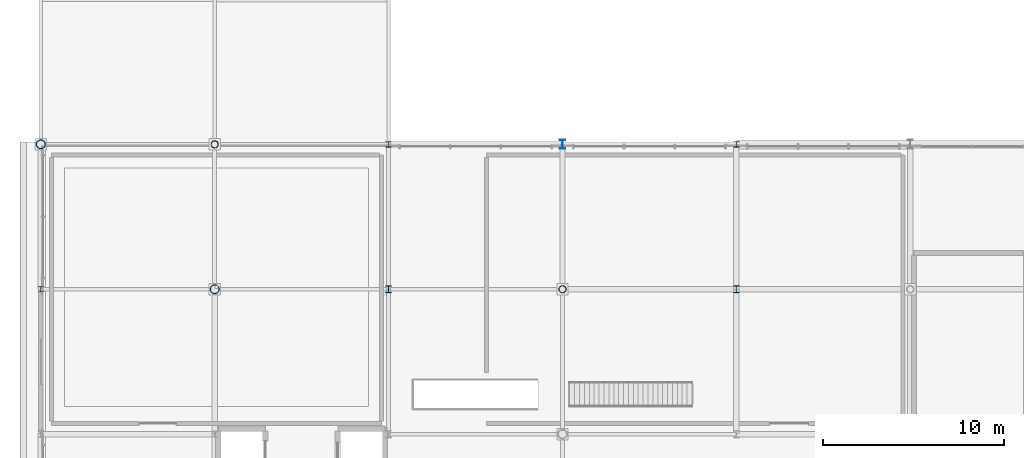
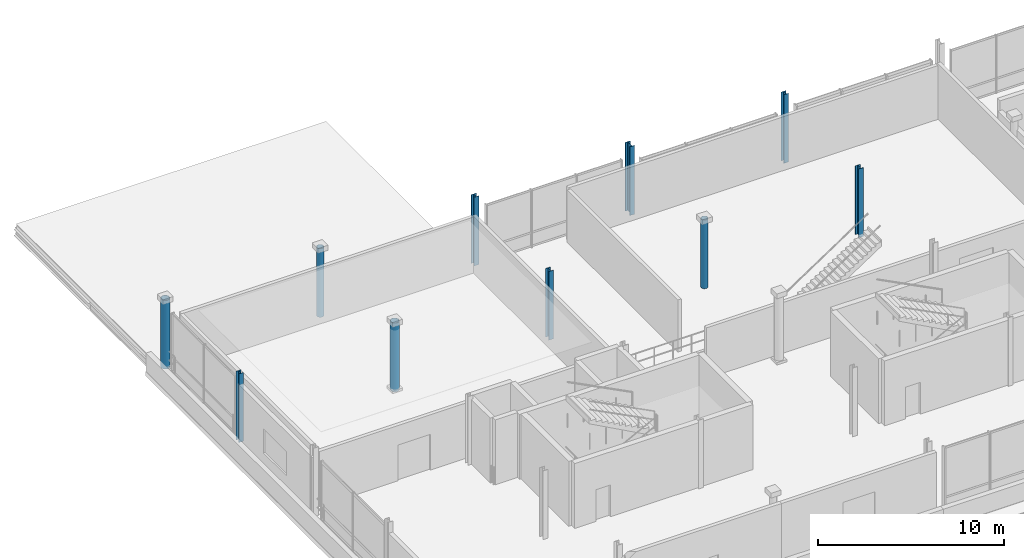
# One storey, part 3 of 36: 10 columns.
"""IFC4 building model written with IfcOpenShell, lengths in metres."""

from ifc_helpers import new_model, si_unit, direction, frame, origin, origin_2d, place, context, subcontext, project, spatial, hollow_circle, i_section, extrude, material, material_profile, profile_set, type_object, element, save


model = new_model("IFC4")

# Units and contexts
model_context = context("Model", 3, precision=1e-05, world=origin(), true_north=direction((0.0, 1.0)))
body_context = subcontext(model_context, "Body", "Model", "MODEL_VIEW")
ifc_project = project(units=[si_unit("LENGTHUNIT", "METRE"), si_unit("AREAUNIT", "SQUARE_METRE"), si_unit("VOLUMEUNIT", "CUBIC_METRE"), si_unit("PLANEANGLEUNIT", "RADIAN"), si_unit("MASSUNIT", "GRAM", prefix="KILO")], contexts=[model_context])

# Site, building, storey
site_placement = place(None, origin())
site = spatial("IfcSite", under=ifc_project, at=site_placement, CompositionType="ELEMENT")
building_placement = place(site_placement, origin())
building = spatial("IfcBuilding", under=site, at=building_placement, Name="Danafjord Basin Convention Centre", CompositionType="ELEMENT")
storey_placement = place(building_placement, frame((0.0, 0.0, 20.39990234375)))
storey = spatial("IfcBuildingStorey", under=building, at=storey_placement, Name="L04", CompositionType="ELEMENT", Elevation=20.39990234375)

# Columns
ifc_material = material(Name="Steel S355", Category="steel")
ifc_material_profile_1 = material_profile(ifc_material, hollow_circle(Radius=0.203125, WallThickness=0.02001953125, at=origin_2d()), Name="CHS 406.4x20.0")
ifc_profile_set_1 = profile_set([ifc_material_profile_1], Name="Steel S355")
column_type_1 = type_object("IfcColumnType", Name="COL-C-CHS406", PredefinedType="COLUMN", material=ifc_profile_set_1)
for number, where, z_axis, x_axis, name in (
    (1, (9.60009765625, 40.0, 0.0), (0.0, 0.0, 1.0), (1.0, 0.0, 0.0), "L04 column C-CHS406 at (9.6, 40.0)"),
    (2, (28.800048828125, 32.0, 0.0), (0.0, 0.0, 1.0), (1.0, 0.0, 0.0), "L04 column C-CHS406 at (28.8, 32.0)"),
):
    element("IfcColumn", number, at=place(storey_placement, frame(where, z_axis=z_axis, x_axis=x_axis)), inside=storey, type_object=column_type_1, Name=name, PredefinedType="COLUMN", context=body_context, shape_type="SweptSolid", body=[
        extrude(hollow_circle(Radius=0.203125, WallThickness=0.02001953125, at=origin_2d()), origin(), (0.0, 0.0, 1.0), 4.5),
    ])
ifc_material_profile_2 = material_profile(ifc_material, hollow_circle(Radius=0.25390625, WallThickness=0.02490234375, at=origin_2d()), Name="CHS 508.0x25.0")
ifc_profile_set_2 = profile_set([ifc_material_profile_2], Name="Steel S355")
column_type_2 = type_object("IfcColumnType", Name="COL-C-CHS508", PredefinedType="COLUMN", material=ifc_profile_set_2)
for number, where, z_axis, x_axis, name in (
    (3, (0.0, 40.0, 0.0), (0.0, 0.0, 1.0), (1.0, 0.0, 0.0), "L04 column C-CHS508 at (0.0, 40.0)"),
    (4, (9.60009765625, 32.0, 0.0), (0.0, 0.0, 1.0), (1.0, 0.0, 0.0), "L04 column C-CHS508 at (9.6, 32.0)"),
):
    element("IfcColumn", number, at=place(storey_placement, frame(where, z_axis=z_axis, x_axis=x_axis)), inside=storey, type_object=column_type_2, Name=name, PredefinedType="COLUMN", context=body_context, shape_type="SweptSolid", body=[
        extrude(hollow_circle(Radius=0.25390625, WallThickness=0.02490234375, at=origin_2d()), origin(), (0.0, 0.0, 1.0), 4.5),
    ])
ifc_material_profile_3 = material_profile(ifc_material, i_section(OverallWidth=0.300048828125, OverallDepth=0.300048828125, WebThickness=0.010986328125, FlangeThickness=0.01904296875, FilletRadius=0.027099609375, at=origin_2d()), Name="HEB 300")
ifc_profile_set_3 = profile_set([ifc_material_profile_3], Name="Steel S355")
column_type_3 = type_object("IfcColumnType", Name="COL-C-HEB300", PredefinedType="COLUMN", material=ifc_profile_set_3)
for number, where, z_axis, x_axis, name in (
    (5, (0.0, 32.0, 0.0), (0.0, 0.0, 1.0), (1.0, 0.0, 0.0), "L04 column C-HEB300 at (0.0, 32.0)"),
    (6, (19.199951171875, 40.0, 0.0), (0.0, 0.0, 1.0), (1.0, 0.0, 0.0), "L04 column C-HEB300 at (19.2, 40.0)"),
    (7, (38.39990234375, 40.0, 0.0), (0.0, 0.0, 1.0), (1.0, 0.0, 0.0), "L04 column C-HEB300 at (38.4, 40.0)"),
):
    element("IfcColumn", number, at=place(storey_placement, frame(where, z_axis=z_axis, x_axis=x_axis)), inside=storey, type_object=column_type_3, Name=name, PredefinedType="COLUMN", context=body_context, shape_type="SweptSolid", body=[
        extrude(i_section(OverallWidth=0.300048828125, OverallDepth=0.300048828125, WebThickness=0.010986328125, FlangeThickness=0.01904296875, FilletRadius=0.027099609375, at=origin_2d()), origin(), (0.0, 0.0, 1.0), 4.5),
    ])
ifc_material_profile_4 = material_profile(ifc_material, i_section(OverallWidth=0.300048828125, OverallDepth=0.360107421875, WebThickness=0.012451171875, FlangeThickness=0.0224609375, FilletRadius=0.027099609375, at=origin_2d()), Name="HEB 360")
ifc_profile_set_4 = profile_set([ifc_material_profile_4], Name="Steel S355")
column_type_4 = type_object("IfcColumnType", Name="COL-C-HEB360", PredefinedType="COLUMN", material=ifc_profile_set_4)
for number, where, z_axis, x_axis, name in (
    (8, (19.199951171875, 32.0, 0.0), (0.0, 0.0, 1.0), (1.0, 0.0, 0.0), "L04 column C-HEB360 at (19.2, 32.0)"),
    (9, (38.39990234375, 32.0, 0.0), (0.0, 0.0, 1.0), (1.0, 0.0, 0.0), "L04 column C-HEB360 at (38.4, 32.0)"),
):
    element("IfcColumn", number, at=place(storey_placement, frame(where, z_axis=z_axis, x_axis=x_axis)), inside=storey, type_object=column_type_4, Name=name, PredefinedType="COLUMN", context=body_context, shape_type="SweptSolid", body=[
        extrude(i_section(OverallWidth=0.300048828125, OverallDepth=0.360107421875, WebThickness=0.012451171875, FlangeThickness=0.0224609375, FilletRadius=0.027099609375, at=origin_2d()), origin(), (0.0, 0.0, 1.0), 4.5),
    ])
ifc_material_profile_5 = material_profile(ifc_material, i_section(OverallWidth=0.300048828125, OverallDepth=0.5, WebThickness=0.014404296875, FlangeThickness=0.028076171875, FilletRadius=0.027099609375, at=origin_2d()), Name="HEB 500")
ifc_profile_set_5 = profile_set([ifc_material_profile_5], Name="Steel S355")
column_type_5 = type_object("IfcColumnType", Name="COL-C-HEB500", PredefinedType="COLUMN", material=ifc_profile_set_5)
column_placement = place(storey_placement, frame((28.800048828125, 40.0, 0.0), z_axis=(0.0, 0.0, 1.0), x_axis=(1.0, 0.0, 0.0)))
element("IfcColumn", 10, at=column_placement, inside=storey, type_object=column_type_5, Name="L04 column C-HEB500 at (28.8, 40.0)", PredefinedType="COLUMN", context=body_context, shape_type="SweptSolid", body=[
    extrude(i_section(OverallWidth=0.300048828125, OverallDepth=0.5, WebThickness=0.014404296875, FlangeThickness=0.028076171875, FilletRadius=0.027099609375, at=origin_2d()), origin(), (0.0, 0.0, 1.0), 4.5),
])

save(model, "model.ifc")
